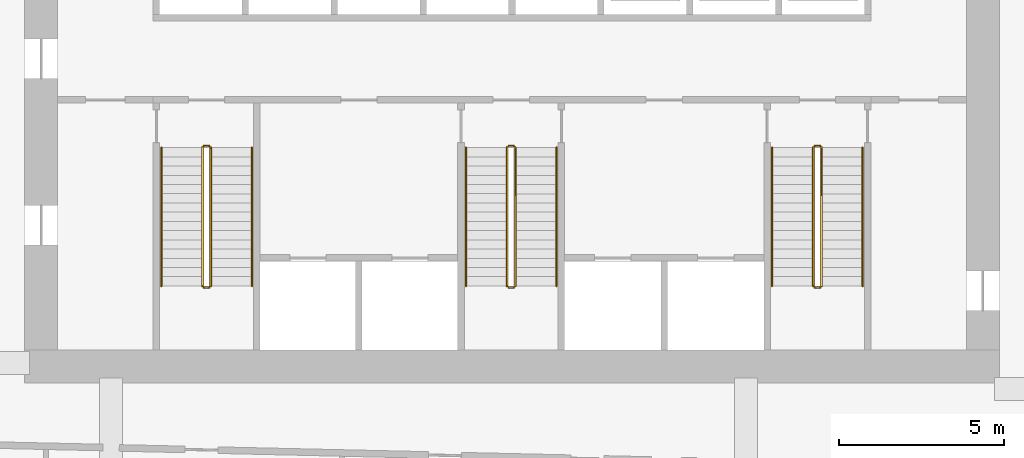
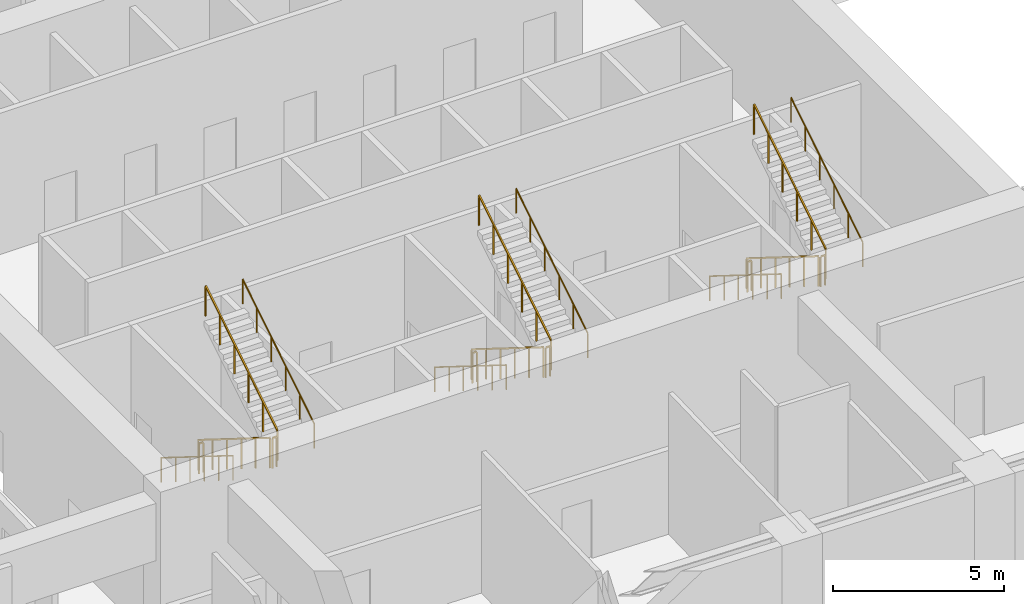
# One storey, part 11 of 13: 18 railings.
"""IFC4 building model written with IfcOpenShell, lengths in metres."""

from ifc_helpers import new_model, si_unit, direction, frame, origin, origin_2d, place, context, subcontext, project, spatial, rectangle, circle, extrude, material, type_object, element, save


model = new_model("IFC4")

# Units and contexts
model_context = context("Model", 3, precision=1e-05, world=origin(), true_north=direction((0.0, 1.0)))
body_context = subcontext(model_context, "Body", "Model", "MODEL_VIEW")
ifc_project = project(units=[si_unit("LENGTHUNIT", "METRE"), si_unit("AREAUNIT", "SQUARE_METRE"), si_unit("VOLUMEUNIT", "CUBIC_METRE"), si_unit("PLANEANGLEUNIT", "RADIAN"), si_unit("MASSUNIT", "GRAM", prefix="KILO")], contexts=[model_context])

# Site, building, storey
site_placement = place(None, origin())
site = spatial("IfcSite", under=ifc_project, at=site_placement, CompositionType="ELEMENT")
building_placement = place(site_placement, origin())
building = spatial("IfcBuilding", under=site, at=building_placement, Name="Mangrove Gate Tower", CompositionType="ELEMENT")
storey_placement = place(building_placement, frame((0.0, 0.0, 119.89990234375)))
storey = spatial("IfcBuildingStorey", under=building, at=storey_placement, Name="L30", CompositionType="ELEMENT", Elevation=119.89990234375)

# Railings
ifc_material_1 = material(Name="Stainless steel 316", Category="steel")
railing_type_1 = type_object("IfcRailingType", Name="Core stair guard 1100", PredefinedType="GUARDRAIL", material=ifc_material_1)
railing_1_placement = place(storey_placement, frame((-9.39990234375, -4.64990234375, 0.175048828125)))
element("IfcRailing", 1, at=railing_1_placement, inside=storey, type_object=railing_type_1, Name="L30 ST1 stair guard 1", PredefinedType="GUARDRAIL", context=body_context, shape_type="SweptSolid", body=[
    extrude(rectangle(XDim=0.048095703125, YDim=0.048095703125, at=origin_2d()), frame((0.0, 0.0, 1.076171875), z_axis=(0.0, -0.848009380541, 0.529981217134), x_axis=(1.0, 0.0, 0.0)), (0.0, 0.0, 1.0), 4.953125),
    extrude(rectangle(XDim=0.0419921875, YDim=0.0419921875, at=origin_2d()), origin(), (0.0, 0.0, 1.0), 1.052001953125),
    extrude(rectangle(XDim=0.0419921875, YDim=0.0419921875, at=origin_2d()), frame((0.0, -0.840087890625, 0.52490234375)), (0.0, 0.0, 1.0), 1.052001953125),
    extrude(rectangle(XDim=0.0419921875, YDim=0.0419921875, at=origin_2d()), frame((0.0, -1.68017578125, 1.050048828125)), (0.0, 0.0, 1.0), 1.052001953125),
    extrude(rectangle(XDim=0.0419921875, YDim=0.0419921875, at=origin_2d()), frame((0.0, -2.52001953125, 1.574951171875)), (0.0, 0.0, 1.0), 1.052001953125),
    extrude(rectangle(XDim=0.0419921875, YDim=0.0419921875, at=origin_2d()), frame((0.0, -3.360107421875, 2.10009765625)), (0.0, 0.0, 1.0), 1.052001953125),
    extrude(rectangle(XDim=0.0419921875, YDim=0.0419921875, at=origin_2d()), frame((0.0, -4.2001953125, 2.625)), (0.0, 0.0, 1.0), 1.052001953125),
])
railing_2_placement = place(storey_placement, frame((-9.35009765625, -8.89990234375, 2.800048828125)))
element("IfcRailing", 2, at=railing_2_placement, inside=storey, type_object=railing_type_1, Name="L30 ST1 stair guard 2", PredefinedType="GUARDRAIL", context=body_context, shape_type="SweptSolid", body=[
    extrude(rectangle(XDim=0.048095703125, YDim=0.048095703125, at=origin_2d()), frame((0.0, 0.0, 1.076171875), z_axis=(1.0, 0.0, 0.0), x_axis=(0.0, 1.0, 0.0)), (0.0, 0.0, 1.0), 0.150146484375),
    extrude(rectangle(XDim=0.0419921875, YDim=0.0419921875, at=origin_2d()), origin(), (0.0, 0.0, 1.0), 1.052001953125),
    extrude(rectangle(XDim=0.0419921875, YDim=0.0419921875, at=origin_2d()), frame((0.150146484375, 0.0, 0.0)), (0.0, 0.0, 1.0), 1.052001953125),
])
railing_3_placement = place(storey_placement, frame((-9.14990234375, -8.85009765625, 2.97509765625)))
element("IfcRailing", 3, at=railing_3_placement, inside=storey, type_object=railing_type_1, Name="L30 ST1 stair guard 3", PredefinedType="GUARDRAIL", context=body_context, shape_type="SweptSolid", body=[
    extrude(rectangle(XDim=0.048095703125, YDim=0.048095703125, at=origin_2d()), frame((0.0, 0.0, 1.076171875), z_axis=(0.0, 0.848009380541, 0.529981217134), x_axis=(-1.0, 0.0, 0.0)), (0.0, 0.0, 1.0), 4.953125),
    extrude(rectangle(XDim=0.0419921875, YDim=0.0419921875, at=origin_2d()), origin(), (0.0, 0.0, 1.0), 1.052001953125),
    extrude(rectangle(XDim=0.0419921875, YDim=0.0419921875, at=origin_2d()), frame((0.0, 0.840087890625, 0.52490234375)), (0.0, 0.0, 1.0), 1.052001953125),
    extrude(rectangle(XDim=0.0419921875, YDim=0.0419921875, at=origin_2d()), frame((0.0, 1.68017578125, 1.050048828125)), (0.0, 0.0, 1.0), 1.052001953125),
    extrude(rectangle(XDim=0.0419921875, YDim=0.0419921875, at=origin_2d()), frame((0.0, 2.52001953125, 1.574951171875)), (0.0, 0.0, 1.0), 1.052001953125),
    extrude(rectangle(XDim=0.0419921875, YDim=0.0419921875, at=origin_2d()), frame((0.0, 3.360107421875, 2.10009765625)), (0.0, 0.0, 1.0), 1.052001953125),
    extrude(rectangle(XDim=0.0419921875, YDim=0.0419921875, at=origin_2d()), frame((0.0, 4.2001953125, 2.625)), (0.0, 0.0, 1.0), 1.052001953125),
])
railing_4_placement = place(storey_placement, frame((-9.35009765625, -4.60009765625, 0.0)))
element("IfcRailing", 4, at=railing_4_placement, inside=storey, type_object=railing_type_1, Name="L30 ST1 stair guard 4", PredefinedType="GUARDRAIL", context=body_context, shape_type="SweptSolid", body=[
    extrude(rectangle(XDim=0.048095703125, YDim=0.048095703125, at=origin_2d()), frame((0.0, 0.0, 1.076171875), z_axis=(1.0, 0.0, 0.0), x_axis=(0.0, 1.0, 0.0)), (0.0, 0.0, 1.0), 0.150146484375),
    extrude(rectangle(XDim=0.0419921875, YDim=0.0419921875, at=origin_2d()), origin(), (0.0, 0.0, 1.0), 1.052001953125),
    extrude(rectangle(XDim=0.0419921875, YDim=0.0419921875, at=origin_2d()), frame((0.150146484375, 0.0, 0.0)), (0.0, 0.0, 1.0), 1.052001953125),
])
railing_5_placement = place(storey_placement, frame((-0.14990234375, -4.64990234375, 0.175048828125)))
element("IfcRailing", 5, at=railing_5_placement, inside=storey, type_object=railing_type_1, Name="L30 ST2 stair guard 1", PredefinedType="GUARDRAIL", context=body_context, shape_type="SweptSolid", body=[
    extrude(rectangle(XDim=0.048095703125, YDim=0.048095703125, at=origin_2d()), frame((0.0, 0.0, 1.076171875), z_axis=(0.0, -0.848009380541, 0.529981217134), x_axis=(1.0, 0.0, 0.0)), (0.0, 0.0, 1.0), 4.953125),
    extrude(rectangle(XDim=0.0419921875, YDim=0.0419921875, at=origin_2d()), origin(), (0.0, 0.0, 1.0), 1.052001953125),
    extrude(rectangle(XDim=0.0419921875, YDim=0.0419921875, at=origin_2d()), frame((0.0, -0.840087890625, 0.52490234375)), (0.0, 0.0, 1.0), 1.052001953125),
    extrude(rectangle(XDim=0.0419921875, YDim=0.0419921875, at=origin_2d()), frame((0.0, -1.68017578125, 1.050048828125)), (0.0, 0.0, 1.0), 1.052001953125),
    extrude(rectangle(XDim=0.0419921875, YDim=0.0419921875, at=origin_2d()), frame((0.0, -2.52001953125, 1.574951171875)), (0.0, 0.0, 1.0), 1.052001953125),
    extrude(rectangle(XDim=0.0419921875, YDim=0.0419921875, at=origin_2d()), frame((0.0, -3.360107421875, 2.10009765625)), (0.0, 0.0, 1.0), 1.052001953125),
    extrude(rectangle(XDim=0.0419921875, YDim=0.0419921875, at=origin_2d()), frame((0.0, -4.2001953125, 2.625)), (0.0, 0.0, 1.0), 1.052001953125),
])
railing_6_placement = place(storey_placement, frame((-0.10009765625, -8.89990234375, 2.800048828125)))
element("IfcRailing", 6, at=railing_6_placement, inside=storey, type_object=railing_type_1, Name="L30 ST2 stair guard 2", PredefinedType="GUARDRAIL", context=body_context, shape_type="SweptSolid", body=[
    extrude(rectangle(XDim=0.048095703125, YDim=0.048095703125, at=origin_2d()), frame((0.0, 0.0, 1.076171875), z_axis=(1.0, 0.0, 0.0), x_axis=(0.0, 1.0, 0.0)), (0.0, 0.0, 1.0), 0.150146484375),
    extrude(rectangle(XDim=0.0419921875, YDim=0.0419921875, at=origin_2d()), origin(), (0.0, 0.0, 1.0), 1.052001953125),
    extrude(rectangle(XDim=0.0419921875, YDim=0.0419921875, at=origin_2d()), frame((0.150146484375, 0.0, 0.0)), (0.0, 0.0, 1.0), 1.052001953125),
])
railing_7_placement = place(storey_placement, frame((0.10009765625, -8.85009765625, 2.97509765625)))
element("IfcRailing", 7, at=railing_7_placement, inside=storey, type_object=railing_type_1, Name="L30 ST2 stair guard 3", PredefinedType="GUARDRAIL", context=body_context, shape_type="SweptSolid", body=[
    extrude(rectangle(XDim=0.048095703125, YDim=0.048095703125, at=origin_2d()), frame((0.0, 0.0, 1.076171875), z_axis=(0.0, 0.848009380541, 0.529981217134), x_axis=(-1.0, 0.0, 0.0)), (0.0, 0.0, 1.0), 4.953125),
    extrude(rectangle(XDim=0.0419921875, YDim=0.0419921875, at=origin_2d()), origin(), (0.0, 0.0, 1.0), 1.052001953125),
    extrude(rectangle(XDim=0.0419921875, YDim=0.0419921875, at=origin_2d()), frame((0.0, 0.840087890625, 0.52490234375)), (0.0, 0.0, 1.0), 1.052001953125),
    extrude(rectangle(XDim=0.0419921875, YDim=0.0419921875, at=origin_2d()), frame((0.0, 1.68017578125, 1.050048828125)), (0.0, 0.0, 1.0), 1.052001953125),
    extrude(rectangle(XDim=0.0419921875, YDim=0.0419921875, at=origin_2d()), frame((0.0, 2.52001953125, 1.574951171875)), (0.0, 0.0, 1.0), 1.052001953125),
    extrude(rectangle(XDim=0.0419921875, YDim=0.0419921875, at=origin_2d()), frame((0.0, 3.360107421875, 2.10009765625)), (0.0, 0.0, 1.0), 1.052001953125),
    extrude(rectangle(XDim=0.0419921875, YDim=0.0419921875, at=origin_2d()), frame((0.0, 4.2001953125, 2.625)), (0.0, 0.0, 1.0), 1.052001953125),
])
railing_8_placement = place(storey_placement, frame((-0.10009765625, -4.60009765625, 0.0)))
element("IfcRailing", 8, at=railing_8_placement, inside=storey, type_object=railing_type_1, Name="L30 ST2 stair guard 4", PredefinedType="GUARDRAIL", context=body_context, shape_type="SweptSolid", body=[
    extrude(rectangle(XDim=0.048095703125, YDim=0.048095703125, at=origin_2d()), frame((0.0, 0.0, 1.076171875), z_axis=(1.0, 0.0, 0.0), x_axis=(0.0, 1.0, 0.0)), (0.0, 0.0, 1.0), 0.150146484375),
    extrude(rectangle(XDim=0.0419921875, YDim=0.0419921875, at=origin_2d()), origin(), (0.0, 0.0, 1.0), 1.052001953125),
    extrude(rectangle(XDim=0.0419921875, YDim=0.0419921875, at=origin_2d()), frame((0.150146484375, 0.0, 0.0)), (0.0, 0.0, 1.0), 1.052001953125),
])
railing_9_placement = place(storey_placement, frame((9.14990234375, -4.64990234375, 0.175048828125)))
element("IfcRailing", 9, at=railing_9_placement, inside=storey, type_object=railing_type_1, Name="L30 ST3 stair guard 1", PredefinedType="GUARDRAIL", context=body_context, shape_type="SweptSolid", body=[
    extrude(rectangle(XDim=0.048095703125, YDim=0.048095703125, at=origin_2d()), frame((0.0, 0.0, 1.076171875), z_axis=(0.0, -0.848009380541, 0.529981217134), x_axis=(1.0, 0.0, 0.0)), (0.0, 0.0, 1.0), 4.953125),
    extrude(rectangle(XDim=0.0419921875, YDim=0.0419921875, at=origin_2d()), origin(), (0.0, 0.0, 1.0), 1.052001953125),
    extrude(rectangle(XDim=0.0419921875, YDim=0.0419921875, at=origin_2d()), frame((0.0, -0.840087890625, 0.52490234375)), (0.0, 0.0, 1.0), 1.052001953125),
    extrude(rectangle(XDim=0.0419921875, YDim=0.0419921875, at=origin_2d()), frame((0.0, -1.68017578125, 1.050048828125)), (0.0, 0.0, 1.0), 1.052001953125),
    extrude(rectangle(XDim=0.0419921875, YDim=0.0419921875, at=origin_2d()), frame((0.0, -2.52001953125, 1.574951171875)), (0.0, 0.0, 1.0), 1.052001953125),
    extrude(rectangle(XDim=0.0419921875, YDim=0.0419921875, at=origin_2d()), frame((0.0, -3.360107421875, 2.10009765625)), (0.0, 0.0, 1.0), 1.052001953125),
    extrude(rectangle(XDim=0.0419921875, YDim=0.0419921875, at=origin_2d()), frame((0.0, -4.2001953125, 2.625)), (0.0, 0.0, 1.0), 1.052001953125),
])
railing_10_placement = place(storey_placement, frame((9.199951171875, -8.89990234375, 2.800048828125)))
element("IfcRailing", 10, at=railing_10_placement, inside=storey, type_object=railing_type_1, Name="L30 ST3 stair guard 2", PredefinedType="GUARDRAIL", context=body_context, shape_type="SweptSolid", body=[
    extrude(rectangle(XDim=0.048095703125, YDim=0.048095703125, at=origin_2d()), frame((0.0, 0.0, 1.076171875), z_axis=(1.0, 0.0, 0.0), x_axis=(0.0, 1.0, 0.0)), (0.0, 0.0, 1.0), 0.150146484375),
    extrude(rectangle(XDim=0.0419921875, YDim=0.0419921875, at=origin_2d()), origin(), (0.0, 0.0, 1.0), 1.052001953125),
    extrude(rectangle(XDim=0.0419921875, YDim=0.0419921875, at=origin_2d()), frame((0.150146484375, 0.0, 0.0)), (0.0, 0.0, 1.0), 1.052001953125),
])
railing_11_placement = place(storey_placement, frame((9.39990234375, -8.85009765625, 2.97509765625)))
element("IfcRailing", 11, at=railing_11_placement, inside=storey, type_object=railing_type_1, Name="L30 ST3 stair guard 3", PredefinedType="GUARDRAIL", context=body_context, shape_type="SweptSolid", body=[
    extrude(rectangle(XDim=0.048095703125, YDim=0.048095703125, at=origin_2d()), frame((0.0, 0.0, 1.076171875), z_axis=(0.0, 0.848009380541, 0.529981217134), x_axis=(-1.0, 0.0, 0.0)), (0.0, 0.0, 1.0), 4.953125),
    extrude(rectangle(XDim=0.0419921875, YDim=0.0419921875, at=origin_2d()), origin(), (0.0, 0.0, 1.0), 1.052001953125),
    extrude(rectangle(XDim=0.0419921875, YDim=0.0419921875, at=origin_2d()), frame((0.0, 0.840087890625, 0.52490234375)), (0.0, 0.0, 1.0), 1.052001953125),
    extrude(rectangle(XDim=0.0419921875, YDim=0.0419921875, at=origin_2d()), frame((0.0, 1.68017578125, 1.050048828125)), (0.0, 0.0, 1.0), 1.052001953125),
    extrude(rectangle(XDim=0.0419921875, YDim=0.0419921875, at=origin_2d()), frame((0.0, 2.52001953125, 1.574951171875)), (0.0, 0.0, 1.0), 1.052001953125),
    extrude(rectangle(XDim=0.0419921875, YDim=0.0419921875, at=origin_2d()), frame((0.0, 3.360107421875, 2.10009765625)), (0.0, 0.0, 1.0), 1.052001953125),
    extrude(rectangle(XDim=0.0419921875, YDim=0.0419921875, at=origin_2d()), frame((0.0, 4.2001953125, 2.625)), (0.0, 0.0, 1.0), 1.052001953125),
])
railing_12_placement = place(storey_placement, frame((9.199951171875, -4.60009765625, 0.0)))
element("IfcRailing", 12, at=railing_12_placement, inside=storey, type_object=railing_type_1, Name="L30 ST3 stair guard 4", PredefinedType="GUARDRAIL", context=body_context, shape_type="SweptSolid", body=[
    extrude(rectangle(XDim=0.048095703125, YDim=0.048095703125, at=origin_2d()), frame((0.0, 0.0, 1.076171875), z_axis=(1.0, 0.0, 0.0), x_axis=(0.0, 1.0, 0.0)), (0.0, 0.0, 1.0), 0.150146484375),
    extrude(rectangle(XDim=0.0419921875, YDim=0.0419921875, at=origin_2d()), origin(), (0.0, 0.0, 1.0), 1.052001953125),
    extrude(rectangle(XDim=0.0419921875, YDim=0.0419921875, at=origin_2d()), frame((0.150146484375, 0.0, 0.0)), (0.0, 0.0, 1.0), 1.052001953125),
])
ifc_material_2 = material(Name="Stainless steel 316", Category="steel")
railing_type_2 = type_object("IfcRailingType", Name="Core stair handrail 900", PredefinedType="HANDRAIL", material=ifc_material_2)
railing_13_placement = place(storey_placement, frame((-10.64990234375, -4.64990234375, 0.175048828125)))
element("IfcRailing", 13, at=railing_13_placement, inside=storey, type_object=railing_type_2, Name="L30 ST1 stair handrail 1", PredefinedType="HANDRAIL", context=body_context, shape_type="SweptSolid", body=[
    extrude(circle(Radius=0.02392578125, at=origin_2d()), frame((0.0, 0.0, 0.8759765625), z_axis=(0.0, -0.848009380541, 0.529981217134), x_axis=(1.0, 0.0, 0.0)), (0.0, 0.0, 1.0), 4.953125),
    extrude(circle(Radius=0.02099609375, at=origin_2d()), origin(), (0.0, 0.0, 1.0), 0.851806640625),
    extrude(circle(Radius=0.02099609375, at=origin_2d()), frame((0.0, -0.840087890625, 0.52490234375)), (0.0, 0.0, 1.0), 0.851806640625),
    extrude(circle(Radius=0.02099609375, at=origin_2d()), frame((0.0, -1.68017578125, 1.050048828125)), (0.0, 0.0, 1.0), 0.851806640625),
    extrude(circle(Radius=0.02099609375, at=origin_2d()), frame((0.0, -2.52001953125, 1.574951171875)), (0.0, 0.0, 1.0), 0.851806640625),
    extrude(circle(Radius=0.02099609375, at=origin_2d()), frame((0.0, -3.360107421875, 2.10009765625)), (0.0, 0.0, 1.0), 0.851806640625),
    extrude(circle(Radius=0.02099609375, at=origin_2d()), frame((0.0, -4.2001953125, 2.625)), (0.0, 0.0, 1.0), 0.851806640625),
])
railing_14_placement = place(storey_placement, frame((-7.89990234375, -8.85009765625, 2.97509765625)))
element("IfcRailing", 14, at=railing_14_placement, inside=storey, type_object=railing_type_2, Name="L30 ST1 stair handrail 2", PredefinedType="HANDRAIL", context=body_context, shape_type="SweptSolid", body=[
    extrude(circle(Radius=0.02392578125, at=origin_2d()), frame((0.0, 0.0, 0.8759765625), z_axis=(0.0, 0.848009380541, 0.529981217134), x_axis=(-1.0, 0.0, 0.0)), (0.0, 0.0, 1.0), 4.953125),
    extrude(circle(Radius=0.02099609375, at=origin_2d()), origin(), (0.0, 0.0, 1.0), 0.851806640625),
    extrude(circle(Radius=0.02099609375, at=origin_2d()), frame((0.0, 0.840087890625, 0.52490234375)), (0.0, 0.0, 1.0), 0.851806640625),
    extrude(circle(Radius=0.02099609375, at=origin_2d()), frame((0.0, 1.68017578125, 1.050048828125)), (0.0, 0.0, 1.0), 0.851806640625),
    extrude(circle(Radius=0.02099609375, at=origin_2d()), frame((0.0, 2.52001953125, 1.574951171875)), (0.0, 0.0, 1.0), 0.851806640625),
    extrude(circle(Radius=0.02099609375, at=origin_2d()), frame((0.0, 3.360107421875, 2.10009765625)), (0.0, 0.0, 1.0), 0.851806640625),
    extrude(circle(Radius=0.02099609375, at=origin_2d()), frame((0.0, 4.2001953125, 2.625)), (0.0, 0.0, 1.0), 0.851806640625),
])
railing_15_placement = place(storey_placement, frame((-1.39990234375, -4.64990234375, 0.175048828125)))
element("IfcRailing", 15, at=railing_15_placement, inside=storey, type_object=railing_type_2, Name="L30 ST2 stair handrail 1", PredefinedType="HANDRAIL", context=body_context, shape_type="SweptSolid", body=[
    extrude(circle(Radius=0.02392578125, at=origin_2d()), frame((0.0, 0.0, 0.8759765625), z_axis=(0.0, -0.848009380541, 0.529981217134), x_axis=(1.0, 0.0, 0.0)), (0.0, 0.0, 1.0), 4.953125),
    extrude(circle(Radius=0.02099609375, at=origin_2d()), origin(), (0.0, 0.0, 1.0), 0.851806640625),
    extrude(circle(Radius=0.02099609375, at=origin_2d()), frame((0.0, -0.840087890625, 0.52490234375)), (0.0, 0.0, 1.0), 0.851806640625),
    extrude(circle(Radius=0.02099609375, at=origin_2d()), frame((0.0, -1.68017578125, 1.050048828125)), (0.0, 0.0, 1.0), 0.851806640625),
    extrude(circle(Radius=0.02099609375, at=origin_2d()), frame((0.0, -2.52001953125, 1.574951171875)), (0.0, 0.0, 1.0), 0.851806640625),
    extrude(circle(Radius=0.02099609375, at=origin_2d()), frame((0.0, -3.360107421875, 2.10009765625)), (0.0, 0.0, 1.0), 0.851806640625),
    extrude(circle(Radius=0.02099609375, at=origin_2d()), frame((0.0, -4.2001953125, 2.625)), (0.0, 0.0, 1.0), 0.851806640625),
])
railing_16_placement = place(storey_placement, frame((1.35009765625, -8.85009765625, 2.97509765625)))
element("IfcRailing", 16, at=railing_16_placement, inside=storey, type_object=railing_type_2, Name="L30 ST2 stair handrail 2", PredefinedType="HANDRAIL", context=body_context, shape_type="SweptSolid", body=[
    extrude(circle(Radius=0.02392578125, at=origin_2d()), frame((0.0, 0.0, 0.8759765625), z_axis=(0.0, 0.848009380541, 0.529981217134), x_axis=(-1.0, 0.0, 0.0)), (0.0, 0.0, 1.0), 4.953125),
    extrude(circle(Radius=0.02099609375, at=origin_2d()), origin(), (0.0, 0.0, 1.0), 0.851806640625),
    extrude(circle(Radius=0.02099609375, at=origin_2d()), frame((0.0, 0.840087890625, 0.52490234375)), (0.0, 0.0, 1.0), 0.851806640625),
    extrude(circle(Radius=0.02099609375, at=origin_2d()), frame((0.0, 1.68017578125, 1.050048828125)), (0.0, 0.0, 1.0), 0.851806640625),
    extrude(circle(Radius=0.02099609375, at=origin_2d()), frame((0.0, 2.52001953125, 1.574951171875)), (0.0, 0.0, 1.0), 0.851806640625),
    extrude(circle(Radius=0.02099609375, at=origin_2d()), frame((0.0, 3.360107421875, 2.10009765625)), (0.0, 0.0, 1.0), 0.851806640625),
    extrude(circle(Radius=0.02099609375, at=origin_2d()), frame((0.0, 4.2001953125, 2.625)), (0.0, 0.0, 1.0), 0.851806640625),
])
railing_17_placement = place(storey_placement, frame((7.89990234375, -4.64990234375, 0.175048828125)))
element("IfcRailing", 17, at=railing_17_placement, inside=storey, type_object=railing_type_2, Name="L30 ST3 stair handrail 1", PredefinedType="HANDRAIL", context=body_context, shape_type="SweptSolid", body=[
    extrude(circle(Radius=0.02392578125, at=origin_2d()), frame((0.0, 0.0, 0.8759765625), z_axis=(0.0, -0.848009380541, 0.529981217134), x_axis=(1.0, 0.0, 0.0)), (0.0, 0.0, 1.0), 4.953125),
    extrude(circle(Radius=0.02099609375, at=origin_2d()), origin(), (0.0, 0.0, 1.0), 0.851806640625),
    extrude(circle(Radius=0.02099609375, at=origin_2d()), frame((0.0, -0.840087890625, 0.52490234375)), (0.0, 0.0, 1.0), 0.851806640625),
    extrude(circle(Radius=0.02099609375, at=origin_2d()), frame((0.0, -1.68017578125, 1.050048828125)), (0.0, 0.0, 1.0), 0.851806640625),
    extrude(circle(Radius=0.02099609375, at=origin_2d()), frame((0.0, -2.52001953125, 1.574951171875)), (0.0, 0.0, 1.0), 0.851806640625),
    extrude(circle(Radius=0.02099609375, at=origin_2d()), frame((0.0, -3.360107421875, 2.10009765625)), (0.0, 0.0, 1.0), 0.851806640625),
    extrude(circle(Radius=0.02099609375, at=origin_2d()), frame((0.0, -4.2001953125, 2.625)), (0.0, 0.0, 1.0), 0.851806640625),
])
railing_18_placement = place(storey_placement, frame((10.64990234375, -8.85009765625, 2.97509765625)))
element("IfcRailing", 18, at=railing_18_placement, inside=storey, type_object=railing_type_2, Name="L30 ST3 stair handrail 2", PredefinedType="HANDRAIL", context=body_context, shape_type="SweptSolid", body=[
    extrude(circle(Radius=0.02392578125, at=origin_2d()), frame((0.0, 0.0, 0.8759765625), z_axis=(0.0, 0.848009380541, 0.529981217134), x_axis=(-1.0, 0.0, 0.0)), (0.0, 0.0, 1.0), 4.953125),
    extrude(circle(Radius=0.02099609375, at=origin_2d()), origin(), (0.0, 0.0, 1.0), 0.851806640625),
    extrude(circle(Radius=0.02099609375, at=origin_2d()), frame((0.0, 0.840087890625, 0.52490234375)), (0.0, 0.0, 1.0), 0.851806640625),
    extrude(circle(Radius=0.02099609375, at=origin_2d()), frame((0.0, 1.68017578125, 1.050048828125)), (0.0, 0.0, 1.0), 0.851806640625),
    extrude(circle(Radius=0.02099609375, at=origin_2d()), frame((0.0, 2.52001953125, 1.574951171875)), (0.0, 0.0, 1.0), 0.851806640625),
    extrude(circle(Radius=0.02099609375, at=origin_2d()), frame((0.0, 3.360107421875, 2.10009765625)), (0.0, 0.0, 1.0), 0.851806640625),
    extrude(circle(Radius=0.02099609375, at=origin_2d()), frame((0.0, 4.2001953125, 2.625)), (0.0, 0.0, 1.0), 0.851806640625),
])

save(model, "model.ifc")
